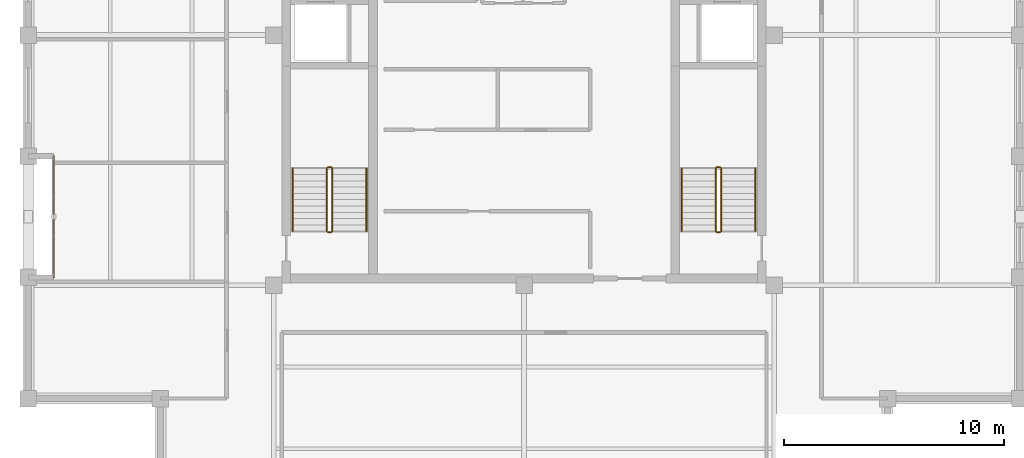
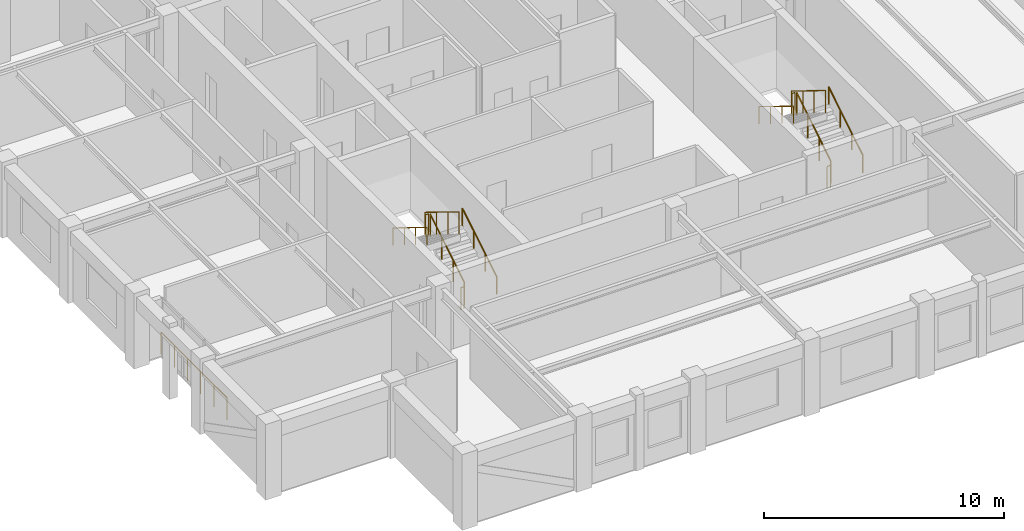
# One storey, part 10 of 10: 13 railings.
"""IFC4 building model written with IfcOpenShell, lengths in metres."""

from ifc_helpers import new_model, si_unit, direction, frame, origin, origin_2d, place, context, subcontext, project, spatial, circle, extrude, material, type_object, element, save


model = new_model("IFC4")

# Units and contexts
model_context = context("Model", 3, precision=1e-05, world=origin(), true_north=direction((0.0, 1.0)))
body_context = subcontext(model_context, "Body", "Model", "MODEL_VIEW")
ifc_project = project(units=[si_unit("LENGTHUNIT", "METRE"), si_unit("AREAUNIT", "SQUARE_METRE"), si_unit("VOLUMEUNIT", "CUBIC_METRE"), si_unit("PLANEANGLEUNIT", "RADIAN"), si_unit("MASSUNIT", "GRAM", prefix="KILO")], contexts=[model_context])

# Site, building, storey
site_placement = place(None, origin())
site = spatial("IfcSite", under=ifc_project, at=site_placement, CompositionType="ELEMENT")
building_placement = place(site_placement, origin())
building = spatial("IfcBuilding", under=site, at=building_placement, Name="Nhamokura Convention Tower", CompositionType="ELEMENT")
storey_placement = place(building_placement, frame((0.0, 0.0, 304.5)))
storey = spatial("IfcBuildingStorey", under=building, at=storey_placement, Name="L75", CompositionType="ELEMENT", Elevation=304.5)

# Railings
ifc_material_1 = material(Name="Anodised bronze stainless steel", Category="steel")
railing_type_1 = type_object("IfcRailingType", Name="StairWallHandrail_900", PredefinedType="HANDRAIL", material=ifc_material_1)
railing_1_placement = place(storey_placement, frame((24.85009765625, 23.10009765625, 0.175048828125)))
element("IfcRailing", 1, at=railing_1_placement, inside=storey, type_object=railing_type_1, Name="L75 ST-01 stair handrail 1", PredefinedType="HANDRAIL", context=body_context, shape_type="SweptSolid", body=[
    extrude(circle(Radius=0.02392578125, at=origin_2d()), frame((0.0, 0.0, 0.8759765625), z_axis=(0.0, 0.852159232446, 0.523282564737), x_axis=(-1.0, 0.0, 0.0)), (0.0, 0.0, 1.0), 3.34423828125),
    extrude(circle(Radius=0.02099609375, at=origin_2d()), origin(), (0.0, 0.0, 1.0), 0.851806640625),
    extrude(circle(Radius=0.02099609375, at=origin_2d()), frame((0.0, 0.949951171875, 0.583251953125)), (0.0, 0.0, 1.0), 0.851806640625),
    extrude(circle(Radius=0.02099609375, at=origin_2d()), frame((0.0, 1.89990234375, 1.166748046875)), (0.0, 0.0, 1.0), 0.851806640625),
    extrude(circle(Radius=0.02099609375, at=origin_2d()), frame((0.0, 2.849853515625, 1.75)), (0.0, 0.0, 1.0), 0.851806640625),
])
railing_2_placement = place(storey_placement, frame((21.5, 25.949951171875, 2.10009765625)))
element("IfcRailing", 2, at=railing_2_placement, inside=storey, type_object=railing_type_1, Name="L75 ST-01 stair handrail 2", PredefinedType="HANDRAIL", context=body_context, shape_type="SweptSolid", body=[
    extrude(circle(Radius=0.02392578125, at=origin_2d()), frame((0.0, 0.0, 0.8759765625), z_axis=(0.0, -0.852159232446, 0.523282564737), x_axis=(1.0, 0.0, 0.0)), (0.0, 0.0, 1.0), 3.34423828125),
    extrude(circle(Radius=0.02099609375, at=origin_2d()), origin(), (0.0, 0.0, 1.0), 0.851806640625),
    extrude(circle(Radius=0.02099609375, at=origin_2d()), frame((0.0, -0.949951171875, 0.583251953125)), (0.0, 0.0, 1.0), 0.851806640625),
    extrude(circle(Radius=0.02099609375, at=origin_2d()), frame((0.0, -1.89990234375, 1.166748046875)), (0.0, 0.0, 1.0), 0.851806640625),
    extrude(circle(Radius=0.02099609375, at=origin_2d()), frame((0.0, -2.849853515625, 1.75)), (0.0, 0.0, 1.0), 0.851806640625),
])
railing_3_placement = place(storey_placement, frame((42.5, 23.10009765625, 0.175048828125)))
element("IfcRailing", 3, at=railing_3_placement, inside=storey, type_object=railing_type_1, Name="L75 ST-02 stair handrail 1", PredefinedType="HANDRAIL", context=body_context, shape_type="SweptSolid", body=[
    extrude(circle(Radius=0.02392578125, at=origin_2d()), frame((0.0, 0.0, 0.8759765625), z_axis=(0.0, 0.852159232446, 0.523282564737), x_axis=(-1.0, 0.0, 0.0)), (0.0, 0.0, 1.0), 3.34423828125),
    extrude(circle(Radius=0.02099609375, at=origin_2d()), origin(), (0.0, 0.0, 1.0), 0.851806640625),
    extrude(circle(Radius=0.02099609375, at=origin_2d()), frame((0.0, 0.949951171875, 0.583251953125)), (0.0, 0.0, 1.0), 0.851806640625),
    extrude(circle(Radius=0.02099609375, at=origin_2d()), frame((0.0, 1.89990234375, 1.166748046875)), (0.0, 0.0, 1.0), 0.851806640625),
    extrude(circle(Radius=0.02099609375, at=origin_2d()), frame((0.0, 2.849853515625, 1.75)), (0.0, 0.0, 1.0), 0.851806640625),
])
railing_4_placement = place(storey_placement, frame((39.14990234375, 25.949951171875, 2.10009765625)))
element("IfcRailing", 4, at=railing_4_placement, inside=storey, type_object=railing_type_1, Name="L75 ST-02 stair handrail 2", PredefinedType="HANDRAIL", context=body_context, shape_type="SweptSolid", body=[
    extrude(circle(Radius=0.02392578125, at=origin_2d()), frame((0.0, 0.0, 0.8759765625), z_axis=(0.0, -0.852159232446, 0.523282564737), x_axis=(1.0, 0.0, 0.0)), (0.0, 0.0, 1.0), 3.34423828125),
    extrude(circle(Radius=0.02099609375, at=origin_2d()), origin(), (0.0, 0.0, 1.0), 0.851806640625),
    extrude(circle(Radius=0.02099609375, at=origin_2d()), frame((0.0, -0.949951171875, 0.583251953125)), (0.0, 0.0, 1.0), 0.851806640625),
    extrude(circle(Radius=0.02099609375, at=origin_2d()), frame((0.0, -1.89990234375, 1.166748046875)), (0.0, 0.0, 1.0), 0.851806640625),
    extrude(circle(Radius=0.02099609375, at=origin_2d()), frame((0.0, -2.849853515625, 1.75)), (0.0, 0.0, 1.0), 0.851806640625),
])
ifc_material_2 = material(Name="Painted tubular steel", Category="steel")
railing_type_2 = type_object("IfcRailingType", Name="StairWellGuardrail_1150", PredefinedType="GUARDRAIL", material=ifc_material_2)
railing_5_placement = place(storey_placement, frame((23.300048828125, 23.10009765625, 0.175048828125)))
element("IfcRailing", 5, at=railing_5_placement, inside=storey, type_object=railing_type_2, Name="L75 ST-01 stair guard 1", PredefinedType="GUARDRAIL", context=body_context, shape_type="SweptSolid", body=[
    extrude(circle(Radius=0.02392578125, at=origin_2d()), frame((0.0, 0.0, 1.1259765625), z_axis=(0.0, 0.852159232446, 0.523282564737), x_axis=(-1.0, 0.0, 0.0)), (0.0, 0.0, 1.0), 3.34423828125),
    extrude(circle(Radius=0.02099609375, at=origin_2d()), origin(), (0.0, 0.0, 1.0), 1.101806640625),
    extrude(circle(Radius=0.02099609375, at=origin_2d()), frame((0.0, 0.949951171875, 0.583251953125)), (0.0, 0.0, 1.0), 1.101806640625),
    extrude(circle(Radius=0.02099609375, at=origin_2d()), frame((0.0, 1.89990234375, 1.166748046875)), (0.0, 0.0, 1.0), 1.101806640625),
    extrude(circle(Radius=0.02099609375, at=origin_2d()), frame((0.0, 2.849853515625, 1.75)), (0.0, 0.0, 1.0), 1.101806640625),
])
railing_6_placement = place(storey_placement, frame((23.25, 26.0, 1.925048828125)))
element("IfcRailing", 6, at=railing_6_placement, inside=storey, type_object=railing_type_2, Name="L75 ST-01 stair guard 2", PredefinedType="GUARDRAIL", context=body_context, shape_type="SweptSolid", body=[
    extrude(circle(Radius=0.02392578125, at=origin_2d()), frame((0.0, 0.0, 1.1259765625), z_axis=(-1.0, 0.0, 0.0), x_axis=(0.0, -1.0, 0.0)), (0.0, 0.0, 1.0), 0.14990234375),
    extrude(circle(Radius=0.02099609375, at=origin_2d()), origin(), (0.0, 0.0, 1.0), 1.101806640625),
    extrude(circle(Radius=0.02099609375, at=origin_2d()), frame((-0.14990234375, 0.0, 0.0)), (0.0, 0.0, 1.0), 1.101806640625),
])
railing_7_placement = place(storey_placement, frame((23.050048828125, 25.949951171875, 2.10009765625)))
element("IfcRailing", 7, at=railing_7_placement, inside=storey, type_object=railing_type_2, Name="L75 ST-01 stair guard 3", PredefinedType="GUARDRAIL", context=body_context, shape_type="SweptSolid", body=[
    extrude(circle(Radius=0.02392578125, at=origin_2d()), frame((0.0, 0.0, 1.1259765625), z_axis=(0.0, -0.852159232446, 0.523282564737), x_axis=(1.0, 0.0, 0.0)), (0.0, 0.0, 1.0), 3.34423828125),
    extrude(circle(Radius=0.02099609375, at=origin_2d()), origin(), (0.0, 0.0, 1.0), 1.101806640625),
    extrude(circle(Radius=0.02099609375, at=origin_2d()), frame((0.0, -0.949951171875, 0.583251953125)), (0.0, 0.0, 1.0), 1.101806640625),
    extrude(circle(Radius=0.02099609375, at=origin_2d()), frame((0.0, -1.89990234375, 1.166748046875)), (0.0, 0.0, 1.0), 1.101806640625),
    extrude(circle(Radius=0.02099609375, at=origin_2d()), frame((0.0, -2.849853515625, 1.75)), (0.0, 0.0, 1.0), 1.101806640625),
])
railing_8_placement = place(storey_placement, frame((23.25, 23.050048828125, 0.0)))
element("IfcRailing", 8, at=railing_8_placement, inside=storey, type_object=railing_type_2, Name="L75 ST-01 stair guard 4", PredefinedType="GUARDRAIL", context=body_context, shape_type="SweptSolid", body=[
    extrude(circle(Radius=0.02392578125, at=origin_2d()), frame((0.0, 0.0, 1.1259765625), z_axis=(-1.0, 0.0, 0.0), x_axis=(0.0, -1.0, 0.0)), (0.0, 0.0, 1.0), 0.14990234375),
    extrude(circle(Radius=0.02099609375, at=origin_2d()), origin(), (0.0, 0.0, 1.0), 1.101806640625),
    extrude(circle(Radius=0.02099609375, at=origin_2d()), frame((-0.14990234375, 0.0, 0.0)), (0.0, 0.0, 1.0), 1.101806640625),
])
railing_9_placement = place(storey_placement, frame((40.949951171875, 23.10009765625, 0.175048828125)))
element("IfcRailing", 9, at=railing_9_placement, inside=storey, type_object=railing_type_2, Name="L75 ST-02 stair guard 1", PredefinedType="GUARDRAIL", context=body_context, shape_type="SweptSolid", body=[
    extrude(circle(Radius=0.02392578125, at=origin_2d()), frame((0.0, 0.0, 1.1259765625), z_axis=(0.0, 0.852159232446, 0.523282564737), x_axis=(-1.0, 0.0, 0.0)), (0.0, 0.0, 1.0), 3.34423828125),
    extrude(circle(Radius=0.02099609375, at=origin_2d()), origin(), (0.0, 0.0, 1.0), 1.101806640625),
    extrude(circle(Radius=0.02099609375, at=origin_2d()), frame((0.0, 0.949951171875, 0.583251953125)), (0.0, 0.0, 1.0), 1.101806640625),
    extrude(circle(Radius=0.02099609375, at=origin_2d()), frame((0.0, 1.89990234375, 1.166748046875)), (0.0, 0.0, 1.0), 1.101806640625),
    extrude(circle(Radius=0.02099609375, at=origin_2d()), frame((0.0, 2.849853515625, 1.75)), (0.0, 0.0, 1.0), 1.101806640625),
])
railing_10_placement = place(storey_placement, frame((40.89990234375, 26.0, 1.925048828125)))
element("IfcRailing", 10, at=railing_10_placement, inside=storey, type_object=railing_type_2, Name="L75 ST-02 stair guard 2", PredefinedType="GUARDRAIL", context=body_context, shape_type="SweptSolid", body=[
    extrude(circle(Radius=0.02392578125, at=origin_2d()), frame((0.0, 0.0, 1.1259765625), z_axis=(-1.0, 0.0, 0.0), x_axis=(0.0, -1.0, 0.0)), (0.0, 0.0, 1.0), 0.14990234375),
    extrude(circle(Radius=0.02099609375, at=origin_2d()), origin(), (0.0, 0.0, 1.0), 1.101806640625),
    extrude(circle(Radius=0.02099609375, at=origin_2d()), frame((-0.14990234375, 0.0, 0.0)), (0.0, 0.0, 1.0), 1.101806640625),
])
railing_11_placement = place(storey_placement, frame((40.699951171875, 25.949951171875, 2.10009765625)))
element("IfcRailing", 11, at=railing_11_placement, inside=storey, type_object=railing_type_2, Name="L75 ST-02 stair guard 3", PredefinedType="GUARDRAIL", context=body_context, shape_type="SweptSolid", body=[
    extrude(circle(Radius=0.02392578125, at=origin_2d()), frame((0.0, 0.0, 1.1259765625), z_axis=(0.0, -0.852159232446, 0.523282564737), x_axis=(1.0, 0.0, 0.0)), (0.0, 0.0, 1.0), 3.34423828125),
    extrude(circle(Radius=0.02099609375, at=origin_2d()), origin(), (0.0, 0.0, 1.0), 1.101806640625),
    extrude(circle(Radius=0.02099609375, at=origin_2d()), frame((0.0, -0.949951171875, 0.583251953125)), (0.0, 0.0, 1.0), 1.101806640625),
    extrude(circle(Radius=0.02099609375, at=origin_2d()), frame((0.0, -1.89990234375, 1.166748046875)), (0.0, 0.0, 1.0), 1.101806640625),
    extrude(circle(Radius=0.02099609375, at=origin_2d()), frame((0.0, -2.849853515625, 1.75)), (0.0, 0.0, 1.0), 1.101806640625),
])
railing_12_placement = place(storey_placement, frame((40.89990234375, 23.050048828125, 0.0)))
element("IfcRailing", 12, at=railing_12_placement, inside=storey, type_object=railing_type_2, Name="L75 ST-02 stair guard 4", PredefinedType="GUARDRAIL", context=body_context, shape_type="SweptSolid", body=[
    extrude(circle(Radius=0.02392578125, at=origin_2d()), frame((0.0, 0.0, 1.1259765625), z_axis=(-1.0, 0.0, 0.0), x_axis=(0.0, -1.0, 0.0)), (0.0, 0.0, 1.0), 0.14990234375),
    extrude(circle(Radius=0.02099609375, at=origin_2d()), origin(), (0.0, 0.0, 1.0), 1.101806640625),
    extrude(circle(Radius=0.02099609375, at=origin_2d()), frame((-0.14990234375, 0.0, 0.0)), (0.0, 0.0, 1.0), 1.101806640625),
])
ifc_material_3 = material(Name="Anodised bronze stainless steel", Category="steel")
railing_type_3 = type_object("IfcRailingType", Name="TerraceGuardrail_1150", PredefinedType="GUARDRAIL", material=ifc_material_3)
railing_13_placement = place(storey_placement, frame((10.64990234375, 21.0, 0.0)))
element("IfcRailing", 13, at=railing_13_placement, inside=storey, type_object=railing_type_3, Name="L75 Scale-Slot Edge Guardrail WEST 1", PredefinedType="GUARDRAIL", context=body_context, shape_type="SweptSolid", body=[
    extrude(circle(Radius=0.02392578125, at=origin_2d()), frame((0.0, 0.0, 1.1259765625), z_axis=(0.0, 1.0, 0.0), x_axis=(-1.0, 0.0, 0.0)), (0.0, 0.0, 1.0), 5.5),
    extrude(circle(Radius=0.02099609375, at=origin_2d()), origin(), (0.0, 0.0, 1.0), 1.101806640625),
    extrude(circle(Radius=0.02099609375, at=origin_2d()), frame((0.0, 1.10009765625, 0.0)), (0.0, 0.0, 1.0), 1.101806640625),
    extrude(circle(Radius=0.02099609375, at=origin_2d()), frame((0.0, 2.199951171875, 0.0)), (0.0, 0.0, 1.0), 1.101806640625),
    extrude(circle(Radius=0.02099609375, at=origin_2d()), frame((0.0, 3.300048828125, 0.0)), (0.0, 0.0, 1.0), 1.101806640625),
    extrude(circle(Radius=0.02099609375, at=origin_2d()), frame((0.0, 4.39990234375, 0.0)), (0.0, 0.0, 1.0), 1.101806640625),
    extrude(circle(Radius=0.02099609375, at=origin_2d()), frame((0.0, 5.5, 0.0)), (0.0, 0.0, 1.0), 1.101806640625),
])

save(model, "model.ifc")
